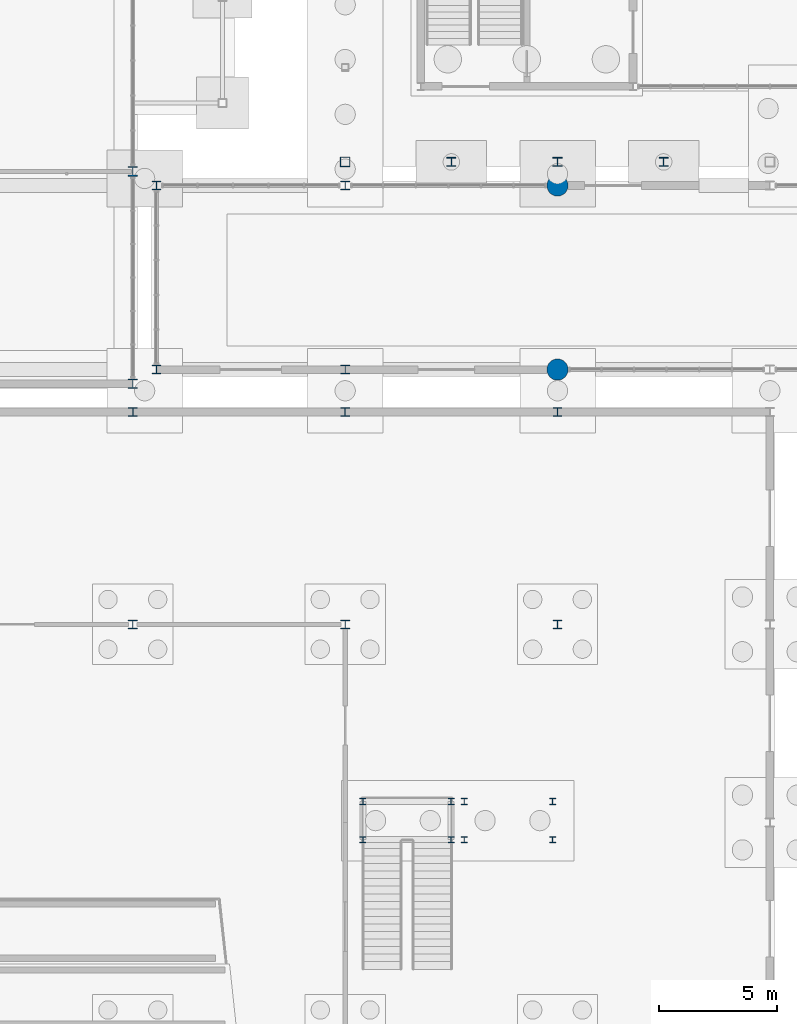
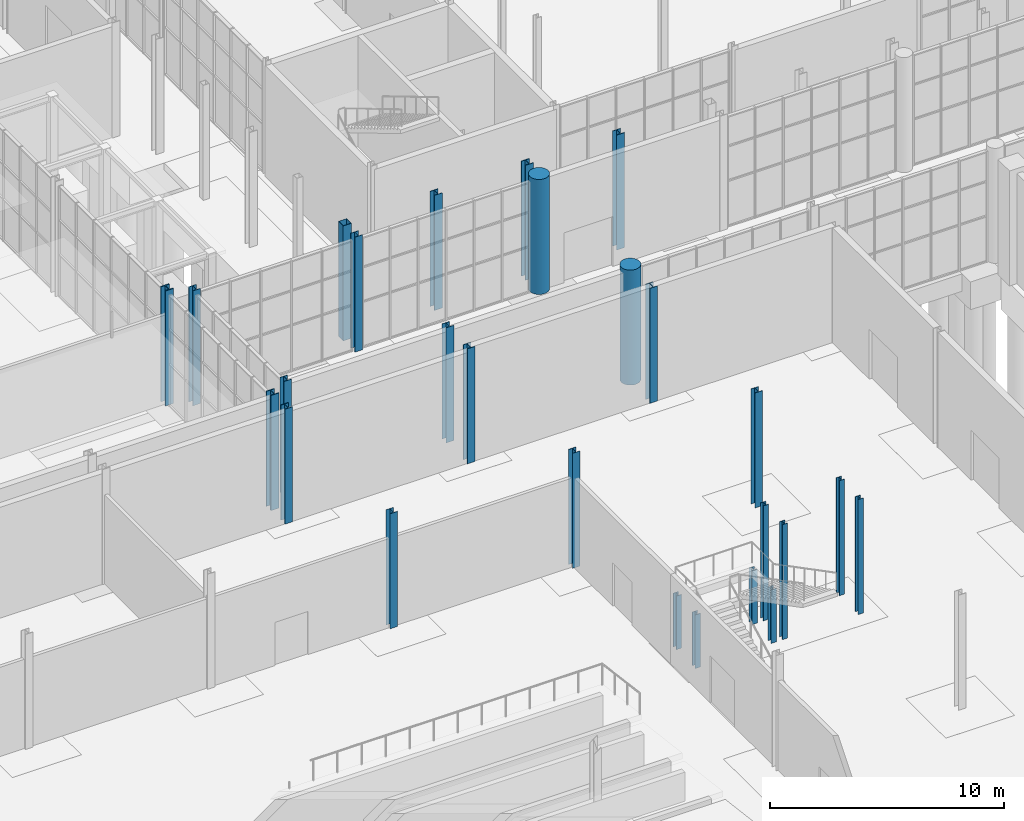
# One storey, part 12 of 131: 26 columns.
"""IFC4 building model written with IfcOpenShell, lengths in metres."""

from ifc_helpers import new_model, si_unit, direction, frame, origin, origin_2d, place, context, subcontext, project, spatial, hollow_rectangle, circle, i_section, extrude, material, material_profile, profile_set, type_object, element, save


model = new_model("IFC4")

# Units and contexts
model_context = context("Model", 3, precision=1e-05, world=origin(), true_north=direction((0.0, 1.0)))
body_context = subcontext(model_context, "Body", "Model", "MODEL_VIEW")
ifc_project = project(units=[si_unit("LENGTHUNIT", "METRE"), si_unit("AREAUNIT", "SQUARE_METRE"), si_unit("VOLUMEUNIT", "CUBIC_METRE"), si_unit("PLANEANGLEUNIT", "RADIAN"), si_unit("MASSUNIT", "GRAM", prefix="KILO")], contexts=[model_context])

# Site, building, storey
site_placement = place(None, origin())
site = spatial("IfcSite", under=ifc_project, at=site_placement, CompositionType="ELEMENT")
building_placement = place(site_placement, origin())
building = spatial("IfcBuilding", under=site, at=building_placement, Name="Cazmaro Siding Exhibition Halls", CompositionType="ELEMENT")
storey_placement = place(building_placement, origin())
storey = spatial("IfcBuildingStorey", under=building, at=storey_placement, Name="L00", CompositionType="ELEMENT", Elevation=0.0)

# Columns
ifc_material_1 = material(Name="Steel ASTM A992 Grade 50", Category="steel")
ifc_material_profile_1 = material_profile(ifc_material_1, i_section(OverallWidth=0.406005859375, OverallDepth=0.416015625, WebThickness=0.030029296875, FlangeThickness=0.048095703125, at=origin_2d()), Name="W14X257")
ifc_profile_set_1 = profile_set([ifc_material_profile_1], Name="Steel ASTM A992 Grade 50")
column_type_1 = type_object("IfcColumnType", Name="C-01", PredefinedType="COLUMN", material=ifc_profile_set_1)
for number, where, z_axis, x_axis, name in (
    (1, (36.0, 54.60009765625, 0.0), (0.0, 0.0, 1.0), (1.0, 0.0, 0.0), "Column C-01 COL-1041"),
    (2, (36.0, 63.60009765625, 0.0), (0.0, 0.0, 1.0), (1.0, 0.0, 0.0), "Column C-01 COL-1045"),
):
    element("IfcColumn", number, at=place(storey_placement, frame(where, z_axis=z_axis, x_axis=x_axis)), inside=storey, type_object=column_type_1, Name=name, PredefinedType="COLUMN", context=body_context, shape_type="SweptSolid", body=[
        extrude(i_section(OverallWidth=0.406005859375, OverallDepth=0.416015625, WebThickness=0.030029296875, FlangeThickness=0.048095703125, at=origin_2d()), origin(), (0.0, 0.0, 1.0), 6.0),
    ])
ifc_material_2 = material(Name="Steel ASTM A992 Grade 50", Category="steel")
ifc_material_profile_2 = material_profile(ifc_material_2, i_section(OverallWidth=0.39208984375, OverallDepth=0.3759765625, WebThickness=0.01708984375, FlangeThickness=0.028076171875, at=origin_2d()), Name="W14X145")
ifc_profile_set_2 = profile_set([ifc_material_profile_2], Name="Steel ASTM A992 Grade 50")
column_type_2 = type_object("IfcColumnType", Name="C-03", PredefinedType="COLUMN", material=ifc_profile_set_2)
for number, where, z_axis, x_axis, name in (
    (3, (49.5, 64.0, 0.0), (0.0, 0.0, 1.0), (1.0, 0.0, 0.0), "Column C-03 COL-0007"),
    (4, (58.5, 64.0, 0.0), (0.0, 0.0, 1.0), (1.0, 0.0, 0.0), "Column C-03 COL-0019"),
):
    element("IfcColumn", number, at=place(storey_placement, frame(where, z_axis=z_axis, x_axis=x_axis)), inside=storey, type_object=column_type_2, Name=name, PredefinedType="COLUMN", context=body_context, shape_type="SweptSolid", body=[
        extrude(i_section(OverallWidth=0.39208984375, OverallDepth=0.3759765625, WebThickness=0.01708984375, FlangeThickness=0.028076171875, at=origin_2d()), origin(), (0.0, 0.0, 1.0), 6.0),
    ])
ifc_material_3 = material(Name="Steel ASTM A992 Grade 50", Category="steel")
ifc_material_profile_3 = material_profile(ifc_material_3, i_section(OverallWidth=0.373046875, OverallDepth=0.373046875, WebThickness=0.01611328125, FlangeThickness=0.02587890625, at=origin_2d()), Name="W14X132")
ifc_profile_set_3 = profile_set([ifc_material_profile_3], Name="Steel ASTM A992 Grade 50")
column_type_3 = type_object("IfcColumnType", Name="C-04", PredefinedType="COLUMN", material=ifc_profile_set_3)
for number, where, z_axis, x_axis, name in (
    (5, (54.0, 53.39990234375, 0.0), (0.0, 0.0, 1.0), (1.0, 0.0, 0.0), "Column C-04 COL-0826"),
    (6, (45.0, 53.39990234375, 0.0), (0.0, 0.0, 1.0), (1.0, 0.0, 0.0), "Column C-04 COL-0829"),
    (7, (36.0, 53.39990234375, 0.0), (0.0, 0.0, 1.0), (1.0, 0.0, 0.0), "Column C-04 COL-0832"),
):
    element("IfcColumn", number, at=place(storey_placement, frame(where, z_axis=z_axis, x_axis=x_axis)), inside=storey, type_object=column_type_3, Name=name, PredefinedType="COLUMN", context=body_context, shape_type="SweptSolid", body=[
        extrude(i_section(OverallWidth=0.373046875, OverallDepth=0.373046875, WebThickness=0.01611328125, FlangeThickness=0.02587890625, at=origin_2d()), origin(), (0.0, 0.0, 1.0), 6.0),
    ])
ifc_material_4 = material(Name="Steel ASTM A992 Grade 50", Category="steel")
ifc_material_profile_4 = material_profile(ifc_material_4, i_section(OverallWidth=0.367919921875, OverallDepth=0.35595703125, WebThickness=0.010986328125, FlangeThickness=0.01806640625, at=origin_2d()), Name="W14X90")
ifc_profile_set_4 = profile_set([ifc_material_profile_4], Name="Steel ASTM A992 Grade 50")
column_type_4 = type_object("IfcColumnType", Name="C-05", PredefinedType="COLUMN", material=ifc_profile_set_4)
for number, where, z_axis, x_axis, name in (
    (8, (36.0, 44.39990234375, 0.0), (0.0, 0.0, 1.0), (1.0, 0.0, 0.0), "Column C-05 COL-0873"),
    (9, (45.0, 44.39990234375, 0.0), (0.0, 0.0, 1.0), (1.0, 0.0, 0.0), "Column C-05 COL-0877"),
    (10, (54.0, 44.39990234375, 0.0), (0.0, 0.0, 1.0), (1.0, 0.0, 0.0), "Column C-05 COL-0880"),
):
    element("IfcColumn", number, at=place(storey_placement, frame(where, z_axis=z_axis, x_axis=x_axis)), inside=storey, type_object=column_type_4, Name=name, PredefinedType="COLUMN", context=body_context, shape_type="SweptSolid", body=[
        extrude(i_section(OverallWidth=0.367919921875, OverallDepth=0.35595703125, WebThickness=0.010986328125, FlangeThickness=0.01806640625, at=origin_2d()), origin(), (0.0, 0.0, 1.0), 6.0),
    ])
ifc_material_5 = material(Name="Concrete f'c 45 MPa", Category="concrete")
ifc_material_profile_5 = material_profile(ifc_material_5, circle(Radius=0.449951171875, at=origin_2d()), Name="RC900DIA")
ifc_profile_set_5 = profile_set([ifc_material_profile_5], Name="Concrete f'c 45 MPa")
column_type_5 = type_object("IfcColumnType", Name="C-09", PredefinedType="COLUMN", material=ifc_profile_set_5)
for number, where, z_axis, x_axis, name in (
    (11, (54.0, 55.199951171875, 0.0), (0.0, 0.0, 1.0), (1.0, 0.0, 0.0), "Column C-09 COL-0717"),
    (12, (54.0, 63.0, 0.0), (0.0, 0.0, 1.0), (1.0, 0.0, 0.0), "Column C-09 COL-0720"),
):
    element("IfcColumn", number, at=place(storey_placement, frame(where, z_axis=z_axis, x_axis=x_axis)), inside=storey, type_object=column_type_5, Name=name, PredefinedType="COLUMN", context=body_context, shape_type="SweptSolid", body=[
        extrude(circle(Radius=0.449951171875, at=origin_2d()), origin(), (0.0, 0.0, 1.0), 6.0),
    ])
ifc_material_6 = material(Name="Steel ASTM A992 Grade 50", Category="steel")
ifc_material_profile_6 = material_profile(ifc_material_6, i_section(OverallWidth=0.39892578125, OverallDepth=0.386962890625, WebThickness=0.02099609375, FlangeThickness=0.032958984375, at=origin_2d()), Name="W14X176")
ifc_profile_set_6 = profile_set([ifc_material_profile_6], Name="Steel ASTM A992 Grade 50")
column_type_6 = type_object("IfcColumnType", Name="C-11", PredefinedType="COLUMN", material=ifc_profile_set_6)
column_1_placement = place(storey_placement, frame((54.0, 64.0, 0.0), z_axis=(0.0, 0.0, 1.0), x_axis=(1.0, 0.0, 0.0)))
element("IfcColumn", 13, at=column_1_placement, inside=storey, type_object=column_type_6, Name="Column C-11 COL-0013", PredefinedType="COLUMN", context=body_context, shape_type="SweptSolid", body=[
    extrude(i_section(OverallWidth=0.39892578125, OverallDepth=0.386962890625, WebThickness=0.02099609375, FlangeThickness=0.032958984375, at=origin_2d()), origin(), (0.0, 0.0, 1.0), 6.0),
])
ifc_material_7 = material(Name="Steel ASTM A992 Grade 50", Category="steel")
ifc_material_profile_7 = material_profile(ifc_material_7, i_section(OverallWidth=0.37109375, OverallDepth=0.364013671875, WebThickness=0.012939453125, FlangeThickness=0.02197265625, at=origin_2d()), Name="W14X109")
ifc_profile_set_7 = profile_set([ifc_material_profile_7], Name="Steel ASTM A992 Grade 50")
column_type_7 = type_object("IfcColumnType", Name="C-12", PredefinedType="COLUMN", material=ifc_profile_set_7)
for number, where, z_axis, x_axis, name in (
    (14, (37.0, 55.199951171875, 0.0), (0.0, 0.0, 1.0), (1.0, 0.0, 0.0), "Column C-12 COL-0705"),
    (15, (37.0, 63.0, 0.0), (0.0, 0.0, 1.0), (1.0, 0.0, 0.0), "Column C-12 COL-0708"),
    (16, (45.0, 55.199951171875, 0.0), (0.0, 0.0, 1.0), (1.0, 0.0, 0.0), "Column C-12 COL-0711"),
    (17, (45.0, 63.0, 0.0), (0.0, 0.0, 1.0), (1.0, 0.0, 0.0), "Column C-12 COL-0714"),
):
    element("IfcColumn", number, at=place(storey_placement, frame(where, z_axis=z_axis, x_axis=x_axis)), inside=storey, type_object=column_type_7, Name=name, PredefinedType="COLUMN", context=body_context, shape_type="SweptSolid", body=[
        extrude(i_section(OverallWidth=0.37109375, OverallDepth=0.364013671875, WebThickness=0.012939453125, FlangeThickness=0.02197265625, at=origin_2d()), origin(), (0.0, 0.0, 1.0), 6.0),
    ])
ifc_material_8 = material(Name="Steel ASTM A992 Grade 50", Category="steel")
ifc_material_profile_8 = material_profile(ifc_material_8, i_section(OverallWidth=0.257080078125, OverallDepth=0.263916015625, WebThickness=0.011962890625, FlangeThickness=0.02001953125, at=origin_2d()), Name="W10X68")
ifc_profile_set_8 = profile_set([ifc_material_profile_8], Name="Steel ASTM A992 Grade 50")
column_type_8 = type_object("IfcColumnType", Name="C-14", PredefinedType="COLUMN", material=ifc_profile_set_8)
for number, where, z_axis, x_axis, name in (
    (18, (45.75, 35.27001953125, 0.0), (0.0, 0.0, 1.0), (1.0, 0.0, 0.0), "Column C-14 COL-1177"),
    (19, (45.75, 36.889892578125, 0.0), (0.0, 0.0, 1.0), (1.0, 0.0, 0.0), "Column C-14 COL-1178"),
    (20, (49.489990234375, 35.27001953125, 0.0), (0.0, 0.0, 1.0), (1.0, 0.0, 0.0), "Column C-14 COL-1179"),
    (21, (49.489990234375, 36.889892578125, 0.0), (0.0, 0.0, 1.0), (1.0, 0.0, 0.0), "Column C-14 COL-1180"),
):
    element("IfcColumn", number, at=place(storey_placement, frame(where, z_axis=z_axis, x_axis=x_axis)), inside=storey, type_object=column_type_8, Name=name, PredefinedType="COLUMN", context=body_context, shape_type="SweptSolid", body=[
        extrude(i_section(OverallWidth=0.257080078125, OverallDepth=0.263916015625, WebThickness=0.011962890625, FlangeThickness=0.02001953125, at=origin_2d()), origin(), (0.0, 0.0, 1.0), 2.800048828125),
    ])
for number, where, z_axis, x_axis, name in (
    (22, (50.050048828125, 35.27001953125, 0.0), (0.0, 0.0, 1.0), (1.0, 0.0, 0.0), "Column C-14 COL-1181"),
    (23, (50.050048828125, 36.889892578125, 0.0), (0.0, 0.0, 1.0), (1.0, 0.0, 0.0), "Column C-14 COL-1183"),
    (24, (53.7900390625, 35.27001953125, 0.0), (0.0, 0.0, 1.0), (1.0, 0.0, 0.0), "Column C-14 COL-1185"),
    (25, (53.7900390625, 36.889892578125, 0.0), (0.0, 0.0, 1.0), (1.0, 0.0, 0.0), "Column C-14 COL-1187"),
):
    element("IfcColumn", number, at=place(storey_placement, frame(where, z_axis=z_axis, x_axis=x_axis)), inside=storey, type_object=column_type_8, Name=name, PredefinedType="COLUMN", context=body_context, shape_type="SweptSolid", body=[
        extrude(i_section(OverallWidth=0.257080078125, OverallDepth=0.263916015625, WebThickness=0.011962890625, FlangeThickness=0.02001953125, at=origin_2d()), origin(), (0.0, 0.0, 1.0), 6.0),
    ])
ifc_material_9 = material(Name="Steel ASTM A500 Grade C", Category="steel")
ifc_material_profile_9 = material_profile(ifc_material_9, hollow_rectangle(XDim=0.406005859375, YDim=0.406005859375, WallThickness=0.014892578125, at=origin_2d()), Name="HSS16X16X5/8")
ifc_profile_set_9 = profile_set([ifc_material_profile_9], Name="Steel ASTM A500 Grade C")
column_type_9 = type_object("IfcColumnType", Name="PL-01", PredefinedType="PILASTER", material=ifc_profile_set_9)
column_2_placement = place(storey_placement, frame((45.0, 64.0, 0.0), z_axis=(0.0, 0.0, 1.0), x_axis=(1.0, 0.0, 0.0)))
element("IfcColumn", 26, at=column_2_placement, inside=storey, type_object=column_type_9, Name="Column PL-01 COL-0001", PredefinedType="PILASTER", context=body_context, shape_type="SweptSolid", body=[
    extrude(hollow_rectangle(XDim=0.406005859375, YDim=0.406005859375, WallThickness=0.014892578125, at=origin_2d()), origin(), (0.0, 0.0, 1.0), 6.0),
])

save(model, "model.ifc")
